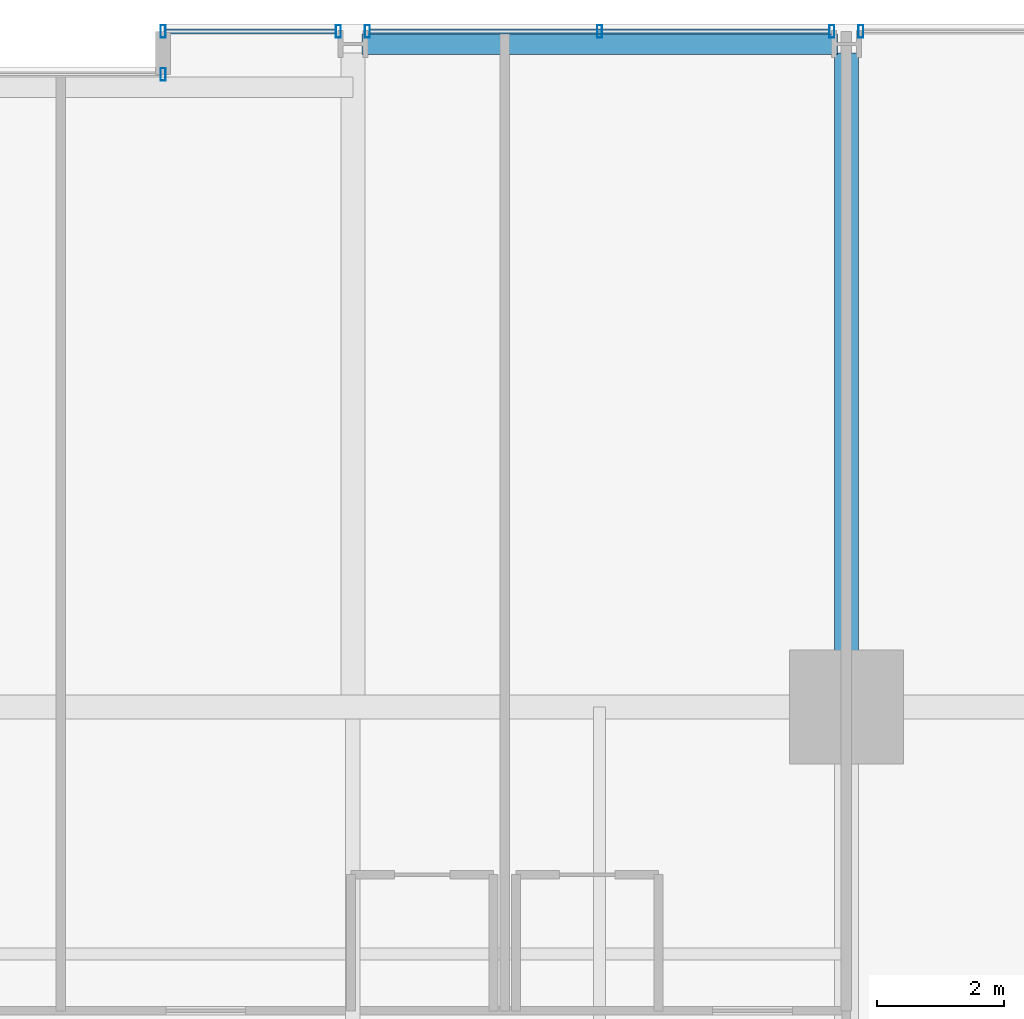
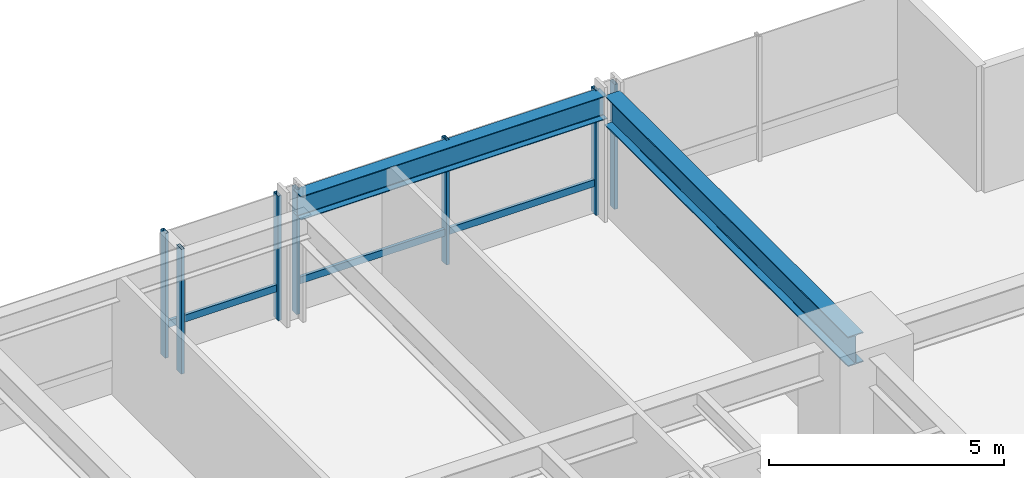
# One storey, part 27 of 38: 9 members, 2 beams, 4 elements without a shape of their own.
"""IFC4 building model written with IfcOpenShell, lengths in metres."""

from ifc_helpers import new_model, si_unit, direction, frame, origin, origin_2d, place, context, subcontext, project, spatial, hollow_rectangle, i_section, extrude, material, layer, layer_set, material_profile, profile_set, type_object, element, aggregate, save


model = new_model("IFC4")

# Units and contexts
model_context = context("Model", 3, precision=1e-05, world=origin(), true_north=direction((0.0, 1.0)))
body_context = subcontext(model_context, "Body", "Model", "MODEL_VIEW")
ifc_project = project(units=[si_unit("LENGTHUNIT", "METRE"), si_unit("AREAUNIT", "SQUARE_METRE"), si_unit("VOLUMEUNIT", "CUBIC_METRE"), si_unit("PLANEANGLEUNIT", "RADIAN"), si_unit("MASSUNIT", "GRAM", prefix="KILO")], contexts=[model_context])

# Site, building, storey
site_placement = place(None, origin())
site = spatial("IfcSite", under=ifc_project, at=site_placement, CompositionType="ELEMENT")
building_placement = place(site_placement, origin())
building = spatial("IfcBuilding", under=site, at=building_placement, Name="Drelvath Grand Hotel", CompositionType="ELEMENT")
storey_placement = place(building_placement, frame((0.0, 0.0, 61.199951171875)))
storey = spatial("IfcBuildingStorey", under=building, at=storey_placement, Name="L14", CompositionType="ELEMENT", Elevation=61.199951171875)

# Curtain wall, member
ifc_material_1 = material(Name="Warm Bronze Anodised Aluminium Frame", Category="aluminium")
ifc_layer = layer(ifc_material_1, 0.199951171875)
ifc_layer_set = layer_set([ifc_layer], Name="Warm Bronze Anodised Aluminium Frame")
curtain_wall_type = type_object("IfcCurtainWallType", Name="Stick Curtain Wall CW-02 Warm Bronze Low-Rise", PredefinedType="NOTDEFINED", material=ifc_layer_set)
curtain_wall_1_placement = place(storey_placement, origin())
curtain_wall_1 = element("IfcCurtainWall", 1, at=curtain_wall_1_placement, inside=storey, type_object=curtain_wall_type, Name="L14 CW-02 Curtain Wall CW02-L14-NE1", PredefinedType="NOTDEFINED")
ifc_material_profile_1 = material_profile(ifc_material_1, hollow_rectangle(XDim=0.074951171875, YDim=0.179931640625, WallThickness=0.0048828125, at=origin_2d()), Name="HSS180X75X5")
ifc_profile_set_1 = profile_set([ifc_material_profile_1], Name="Warm Bronze Anodised Aluminium Frame")
member_type_1 = type_object("IfcMemberType", Name="Curtain Wall Horizontal Transom CW-02 HSS180X75X5", PredefinedType="USERDEFINED", material=ifc_profile_set_1)
member_1_placement = place(storey_placement, frame((5.43994140625, 53.8798828125, 0.81005859375), z_axis=(1.0, 0.0, 0.0), x_axis=(0.0, 1.0, 0.0)))
member_1 = element("IfcMember", 2, at=member_1_placement, type_object=member_type_1, Name="CW02-L14-NE1 Sill Transom", ObjectType="TRANSOM", PredefinedType="USERDEFINED", context=body_context, shape_type="SweptSolid", body=[
    extrude(hollow_rectangle(XDim=0.074951171875, YDim=0.179931640625, WallThickness=0.0048828125, at=origin_2d()), origin(), (0.0, 0.0, 1.0), 2.69091796875),
])

curtain_wall_2_placement = place(storey_placement, origin())
curtain_wall_2 = element("IfcCurtainWall", 3, at=curtain_wall_2_placement, inside=storey, type_object=curtain_wall_type, Name="L14 CW-02 Curtain Wall CW02-L14-NE2", PredefinedType="NOTDEFINED")
member_2_placement = place(storey_placement, frame((8.669189453125, 53.8798828125, 0.81005859375), z_axis=(1.0, 0.0, 0.0), x_axis=(0.0, 1.0, 0.0)))
member_2 = element("IfcMember", 4, at=member_2_placement, type_object=member_type_1, Name="CW02-L14-NE2 Sill Transom", ObjectType="TRANSOM", PredefinedType="USERDEFINED", context=body_context, shape_type="SweptSolid", body=[
    extrude(hollow_rectangle(XDim=0.074951171875, YDim=0.179931640625, WallThickness=0.0048828125, at=origin_2d()), origin(), (0.0, 0.0, 1.0), 7.26171875),
])

curtain_wall_3_placement = place(storey_placement, origin())
curtain_wall_3 = element("IfcCurtainWall", 5, at=curtain_wall_3_placement, inside=storey, type_object=curtain_wall_type, Name="L14 CW-02 Curtain Wall CW02-L14-NM2", PredefinedType="NOTDEFINED")
ifc_material_profile_2 = material_profile(ifc_material_1, hollow_rectangle(XDim=0.080078125, YDim=0.199951171875, WallThickness=0.0048828125, at=origin_2d()), Name="HSS200X80X5")
ifc_profile_set_2 = profile_set([ifc_material_profile_2], Name="Warm Bronze Anodised Aluminium Frame")
member_type_2 = type_object("IfcMemberType", Name="Curtain Wall Vertical Mullion CW-02 HSS200X80X5", PredefinedType="MULLION", material=ifc_profile_set_2)
member_3_placement = place(storey_placement, frame((5.39990234375, 53.199951171875, 0.0), z_axis=(0.0, 0.0, 1.0), x_axis=(1.0, 0.0, 0.0)))
member_3 = element("IfcMember", 6, at=member_3_placement, type_object=member_type_2, Name="CW02-L14-NM2 Mullion 2", PredefinedType="MULLION", context=body_context, shape_type="SweptSolid", body=[
    extrude(hollow_rectangle(XDim=0.080078125, YDim=0.199951171875, WallThickness=0.0048828125, at=origin_2d()), origin(), (0.0, 0.0, 1.0), 3.239990234375),
])
aggregate(curtain_wall_3, [member_3])

# Member
member_4_placement = place(storey_placement, frame((5.39990234375, 53.8798828125, 0.0), z_axis=(0.0, 0.0, 1.0), x_axis=(1.0, 0.0, 0.0)))
member_4 = element("IfcMember", 7, at=member_4_placement, type_object=member_type_2, Name="CW02-L14-NE1 Mullion 1", PredefinedType="MULLION", context=body_context, shape_type="SweptSolid", body=[
    extrude(hollow_rectangle(XDim=0.080078125, YDim=0.199951171875, WallThickness=0.0048828125, at=origin_2d()), origin(), (0.0, 0.0, 1.0), 3.239990234375),
])

member_5_placement = place(storey_placement, frame((8.1708984375, 53.8798828125, 0.0), z_axis=(0.0, 0.0, 1.0), x_axis=(1.0, 0.0, 0.0)))
member_5 = element("IfcMember", 8, at=member_5_placement, type_object=member_type_2, Name="CW02-L14-NE1 Mullion 2", PredefinedType="MULLION", context=body_context, shape_type="SweptSolid", body=[
    extrude(hollow_rectangle(XDim=0.080078125, YDim=0.199951171875, WallThickness=0.0048828125, at=origin_2d()), origin(), (0.0, 0.0, 1.0), 3.239990234375),
])

aggregate(curtain_wall_1, [member_4, member_5, member_1])

member_6_placement = place(storey_placement, frame((8.629150390625, 53.8798828125, 0.0), z_axis=(0.0, 0.0, 1.0), x_axis=(1.0, 0.0, 0.0)))
member_6 = element("IfcMember", 9, at=member_6_placement, type_object=member_type_2, Name="CW02-L14-NE2 Mullion 1", PredefinedType="MULLION", context=body_context, shape_type="SweptSolid", body=[
    extrude(hollow_rectangle(XDim=0.080078125, YDim=0.199951171875, WallThickness=0.0048828125, at=origin_2d()), origin(), (0.0, 0.0, 1.0), 3.239990234375),
])

member_7_placement = place(storey_placement, frame((12.300048828125, 53.8798828125, 0.0), z_axis=(0.0, 0.0, 1.0), x_axis=(1.0, 0.0, 0.0)))
member_7 = element("IfcMember", 10, at=member_7_placement, type_object=member_type_2, Name="CW02-L14-NE2 Mullion 2", PredefinedType="MULLION", context=body_context, shape_type="SweptSolid", body=[
    extrude(hollow_rectangle(XDim=0.080078125, YDim=0.199951171875, WallThickness=0.0048828125, at=origin_2d()), origin(), (0.0, 0.0, 1.0), 3.239990234375),
])

member_8_placement = place(storey_placement, frame((15.970947265625, 53.8798828125, 0.0), z_axis=(0.0, 0.0, 1.0), x_axis=(1.0, 0.0, 0.0)))
member_8 = element("IfcMember", 11, at=member_8_placement, type_object=member_type_2, Name="CW02-L14-NE2 Mullion 3", PredefinedType="MULLION", context=body_context, shape_type="SweptSolid", body=[
    extrude(hollow_rectangle(XDim=0.080078125, YDim=0.199951171875, WallThickness=0.0048828125, at=origin_2d()), origin(), (0.0, 0.0, 1.0), 3.239990234375),
])

aggregate(curtain_wall_2, [member_6, member_7, member_8, member_2])

# Curtain wall, member
curtain_wall_4_placement = place(storey_placement, origin())
curtain_wall_4 = element("IfcCurtainWall", 12, at=curtain_wall_4_placement, inside=storey, type_object=curtain_wall_type, Name="L14 CW-02 Curtain Wall CW02-L14-NE3", PredefinedType="NOTDEFINED")
member_9_placement = place(storey_placement, frame((16.42919921875, 53.8798828125, 0.0), z_axis=(0.0, 0.0, 1.0), x_axis=(1.0, 0.0, 0.0)))
member_9 = element("IfcMember", 13, at=member_9_placement, type_object=member_type_2, Name="CW02-L14-NE3 Mullion 1", PredefinedType="MULLION", context=body_context, shape_type="SweptSolid", body=[
    extrude(hollow_rectangle(XDim=0.080078125, YDim=0.199951171875, WallThickness=0.0048828125, at=origin_2d()), origin(), (0.0, 0.0, 1.0), 3.239990234375),
])
aggregate(curtain_wall_4, [member_9])

# Beams
ifc_material_2 = material(Name="Steel ASTM A992 Gr 50", Category="steel")
ifc_material_profile_3 = material_profile(ifc_material_2, i_section(OverallWidth=0.323974609375, OverallDepth=0.611083984375, WebThickness=0.0126953125, FlangeThickness=0.01904296875, FilletRadius=0.02197265625, at=origin_2d()), Name="W24X104")
ifc_profile_set_3 = profile_set([ifc_material_profile_3], Name="Steel ASTM A992 Gr 50")
beam_type_1 = type_object("IfcBeamType", Name="Perimeter Spandrel Beam W24X104", PredefinedType="SPANDREL", material=ifc_profile_set_3)
beam_1_placement = place(storey_placement, frame((8.5400390625, 53.679931640625, 2.9345703125), z_axis=(1.0, 0.0, 0.0), x_axis=(0.0, 1.0, 0.0)))
element("IfcBeam", 14, at=beam_1_placement, inside=storey, type_object=beam_type_1, Name="L14 Spandrel North E", PredefinedType="SPANDREL", context=body_context, shape_type="SweptSolid", body=[
    extrude(i_section(OverallWidth=0.323974609375, OverallDepth=0.611083984375, WebThickness=0.0126953125, FlangeThickness=0.01904296875, FilletRadius=0.02197265625, at=origin_2d()), origin(), (0.0, 0.0, 1.0), 7.52001953125),
])
ifc_material_profile_4 = material_profile(ifc_material_2, i_section(OverallWidth=0.380615234375, OverallDepth=0.773193359375, WebThickness=0.0166015625, FlangeThickness=0.027099609375, FilletRadius=0.02490234375, at=origin_2d()), Name="W30X173")
ifc_profile_set_4 = profile_set([ifc_material_profile_4], Name="Steel ASTM A992 Gr 50")
beam_type_2 = type_object("IfcBeamType", Name="Primary Floor Girder W30X173", PredefinedType="BEAM", material=ifc_profile_set_4)
beam_2_placement = place(storey_placement, frame((16.199951171875, 43.199951171875, 2.853515625), z_axis=(0.0, 1.0, 0.0), x_axis=(-1.0, 0.0, 0.0)))
element("IfcBeam", 15, at=beam_2_placement, inside=storey, type_object=beam_type_2, Name="L14 North Grid Girder 7", PredefinedType="BEAM", context=body_context, shape_type="SweptSolid", body=[
    extrude(i_section(OverallWidth=0.380615234375, OverallDepth=0.773193359375, WebThickness=0.0166015625, FlangeThickness=0.027099609375, FilletRadius=0.02490234375, at=origin_2d()), origin(), (0.0, 0.0, 1.0), 10.340087890625),
])

save(model, "model.ifc")
